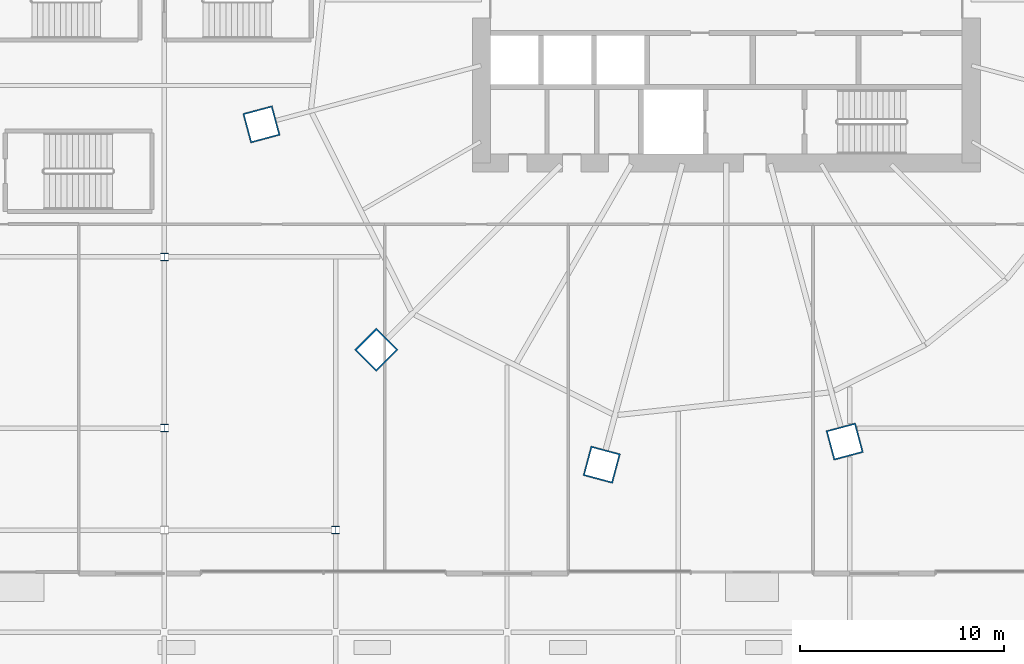
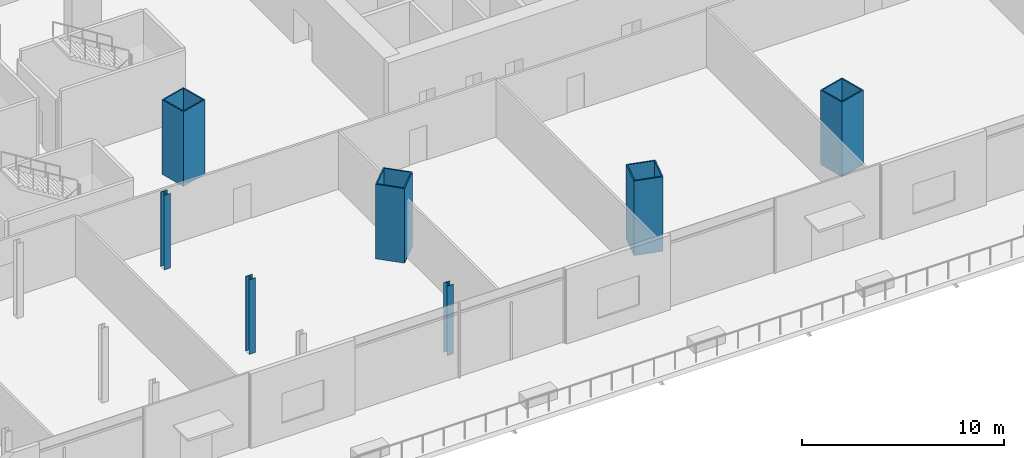
# One storey, part 5 of 52: 7 columns.
"""IFC4 building model written with IfcOpenShell, lengths in metres."""

from ifc_helpers import new_model, si_unit, direction, frame, origin, origin_2d, place, context, subcontext, project, spatial, hollow_rectangle, i_section, extrude, material, material_profile, profile_set, type_object, element, save


model = new_model("IFC4")

# Units and contexts
model_context = context("Model", 3, precision=1e-05, world=origin(), true_north=direction((0.0, 1.0)))
body_context = subcontext(model_context, "Body", "Model", "MODEL_VIEW")
ifc_project = project(units=[si_unit("LENGTHUNIT", "METRE"), si_unit("AREAUNIT", "SQUARE_METRE"), si_unit("VOLUMEUNIT", "CUBIC_METRE"), si_unit("PLANEANGLEUNIT", "RADIAN"), si_unit("MASSUNIT", "GRAM", prefix="KILO")], contexts=[model_context])

# Site, building, storey
site_placement = place(None, origin())
site = spatial("IfcSite", under=ifc_project, at=site_placement, CompositionType="ELEMENT")
building_placement = place(site_placement, origin())
building = spatial("IfcBuilding", under=site, at=building_placement, Name="Rimbun Link Towers", CompositionType="ELEMENT")
storey_placement = place(building_placement, frame((0.0, 0.0, 21.0)))
storey = spatial("IfcBuildingStorey", under=building, at=storey_placement, Name="L04", CompositionType="ELEMENT", Elevation=21.0)

# Columns
ifc_material_1 = material(Name="Steel S460N", Category="steel")
ifc_material_profile_1 = material_profile(ifc_material_1, hollow_rectangle(XDim=1.5, YDim=1.5, WallThickness=0.070068359375, at=origin_2d()), Name="BOX 1500x1500x70")
ifc_profile_set_1 = profile_set([ifc_material_profile_1], Name="Steel S460N")
column_type_1 = type_object("IfcColumnType", Name="BOX 1500x1500x70", PredefinedType="COLUMN", material=ifc_profile_set_1)
for number, where, z_axis, x_axis, name in (
    (1, (8.959716796875, -6.106689453125, 0.0), (0.0, 0.0, 1.0), (-0.965925826289, -0.258819045103, 0.0), "Mega column T2 L04 10"),
    (2, (14.59375, -17.15625, 0.0), (0.0, 0.0, 1.0), (-0.707106781187, -0.707106781187, 0.0), "Mega column T2 L04 12"),
    (3, (25.643310546875, -22.790283203125, 0.0), (0.0, 0.0, 1.0), (-0.258819045103, -0.965925826289, 0.0), "Mega column T2 L04 14"),
    (4, (37.55322265625, -21.658203125, 0.0), (0.0, 0.0, 1.0), (0.258819045103, -0.965925826289, 0.0), "Mega column T2 L04 16"),
):
    element("IfcColumn", number, at=place(storey_placement, frame(where, z_axis=z_axis, x_axis=x_axis)), inside=storey, type_object=column_type_1, Name=name, PredefinedType="COLUMN", context=body_context, shape_type="SweptSolid", body=[
        extrude(hollow_rectangle(XDim=1.5, YDim=1.5, WallThickness=0.070068359375, at=origin_2d()), origin(), (0.0, 0.0, 1.0), 4.5),
    ])
ifc_material_2 = material(Name="Steel S355J2", Category="steel")
ifc_material_profile_2 = material_profile(ifc_material_2, i_section(OverallWidth=0.37060546875, OverallDepth=0.362060546875, WebThickness=0.01220703125, FlangeThickness=0.020751953125, at=origin_2d()), Name="UC 356x368x153")
ifc_profile_set_2 = profile_set([ifc_material_profile_2], Name="Steel S355J2")
column_type_2 = type_object("IfcColumnType", Name="UC 356x368x153", PredefinedType="COLUMN", material=ifc_profile_set_2)
for number, where, z_axis, x_axis, name in (
    (5, (4.199951171875, -21.0, 0.0), (0.0, 0.0, 1.0), (1.0, 0.0, 0.0), "Column L04 +4.2 -21.0"),
    (6, (4.199951171875, -12.60009765625, 0.0), (0.0, 0.0, 1.0), (1.0, 0.0, 0.0), "Column L04 +4.2 -12.6"),
):
    element("IfcColumn", number, at=place(storey_placement, frame(where, z_axis=z_axis, x_axis=x_axis)), inside=storey, type_object=column_type_2, Name=name, PredefinedType="COLUMN", context=body_context, shape_type="SweptSolid", body=[
        extrude(i_section(OverallWidth=0.37060546875, OverallDepth=0.362060546875, WebThickness=0.01220703125, FlangeThickness=0.020751953125, at=origin_2d()), origin(), (0.0, 0.0, 1.0), 4.5),
    ])
column_placement = place(storey_placement, frame((12.60009765625, -26.0, 0.0), z_axis=(0.0, 0.0, 1.0), x_axis=(1.0, 0.0, 0.0)))
element("IfcColumn", 7, at=column_placement, inside=storey, type_object=column_type_2, Name="Column L04 +12.6 -26.0", PredefinedType="COLUMN", context=body_context, shape_type="SweptSolid", body=[
    extrude(i_section(OverallWidth=0.37060546875, OverallDepth=0.362060546875, WebThickness=0.01220703125, FlangeThickness=0.020751953125, at=origin_2d()), origin(), (0.0, 0.0, 1.0), 4.199951171875),
])

save(model, "model.ifc")
